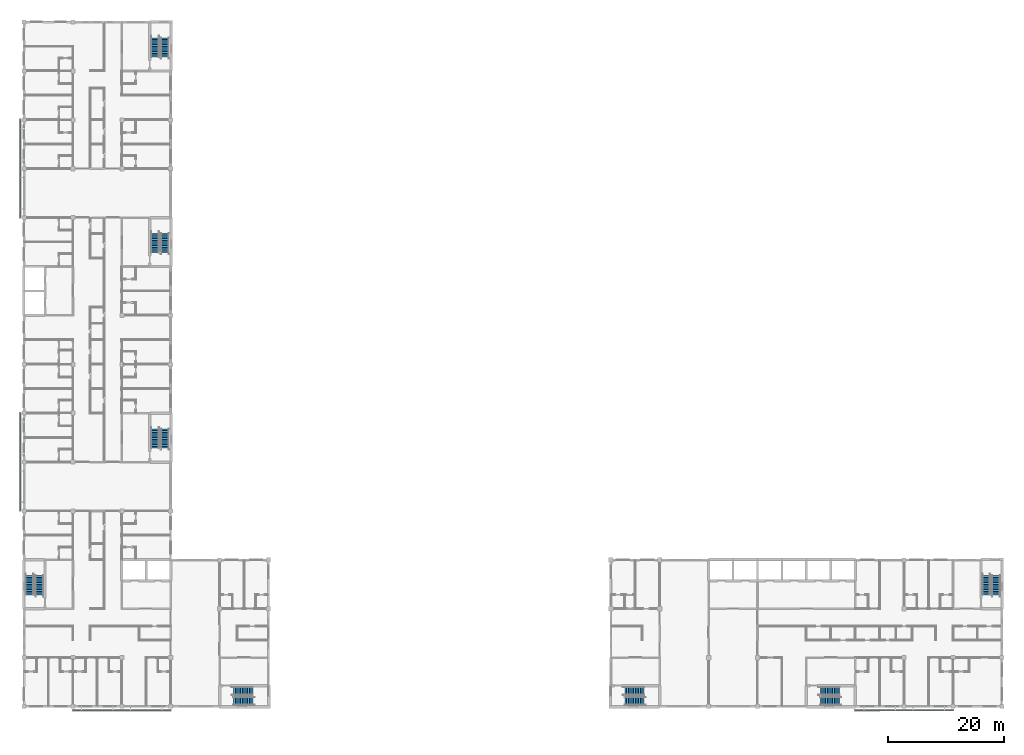
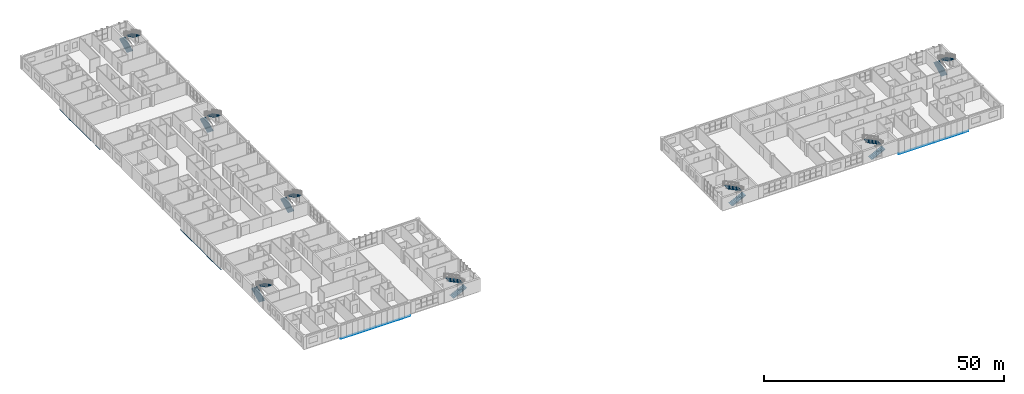
# One storey, part 38 of 45: 16 stair flights, 8 discrete accessories, 8 elements without a shape of their own.
"""IFC4 building model written with IfcOpenShell, lengths in metres."""

from ifc_helpers import new_model, si_unit, direction, frame, origin, origin_2d, place, context, subcontext, project, spatial, polyline, hollow_rectangle, outline, extrude, material, material_profile, profile_set, type_object, element, aggregate, save


model = new_model("IFC4")

# Units and contexts
model_context = context("Model", 3, precision=1e-05, world=origin(), true_north=direction((0.0, 1.0)))
body_context = subcontext(model_context, "Body", "Model", "MODEL_VIEW")
ifc_project = project(units=[si_unit("LENGTHUNIT", "METRE"), si_unit("AREAUNIT", "SQUARE_METRE"), si_unit("VOLUMEUNIT", "CUBIC_METRE"), si_unit("PLANEANGLEUNIT", "RADIAN"), si_unit("MASSUNIT", "GRAM", prefix="KILO")], contexts=[model_context])

# Site, building, storey
site_placement = place(None, origin())
site = spatial("IfcSite", under=ifc_project, at=site_placement, CompositionType="ELEMENT")
building_placement = place(site_placement, origin())
building = spatial("IfcBuilding", under=site, at=building_placement, Name="Yavir Park General Hospital", CompositionType="ELEMENT")
storey_placement = place(building_placement, frame((0.0, 0.0, 22.5)))
storey = spatial("IfcBuildingStorey", under=building, at=storey_placement, Name="L05", CompositionType="ELEMENT", Elevation=22.5)

# Stair, stair flights
ifc_material_1 = material(Name="Concrete C30/37", Category="concrete")
stair_type = type_object("IfcStairType", Name="Patient escape stair, 24 risers of 150 mm, 1400 mm flights", PredefinedType="HALF_TURN_STAIR", material=ifc_material_1)
stair_1_placement = place(storey_placement, origin())
stair_1 = element("IfcStair", 1, at=stair_1_placement, inside=storey, type_object=stair_type, Name="Stair SU1, L05 to L06", PredefinedType="HALF_TURN_STAIR")
ifc_material_2 = material(Name="Concrete C30/37", Category="concrete")
stair_flight_type = type_object("IfcStairFlightType", Name="Patient escape stair flight, 12 risers, 1400 mm wide", PredefinedType="STRAIGHT", material=ifc_material_2)
stair_flight_1_placement = place(storey_placement, frame((0.949951171875, 19.199951171875, 0.0), z_axis=(0.0, 0.0, 1.0), x_axis=(0.0, 1.0, 0.0)))
stair_flight_1 = element("IfcStairFlight", 2, at=stair_flight_1_placement, type_object=stair_flight_type, Name="SU1 flight 1", NumberOfRisers=12, NumberOfTreads=11, PredefinedType="STRAIGHT", RiserHeight=0.15, TreadLength=0.3, context=body_context, shape_type="SweptSolid", body=[
    extrude(outline(polyline([(0.0, 0.0), (0.0, 0.14990234375), (0.300048828125, 0.14990234375), (0.300048828125, 0.300048828125), (0.60009765625, 0.300048828125), (0.60009765625, 0.449951171875), (0.89990234375, 0.449951171875), (0.89990234375, 0.60009765625), (1.199951171875, 0.60009765625), (1.199951171875, 0.75), (1.5, 0.75), (1.5, 0.89990234375), (1.800048828125, 0.89990234375), (1.800048828125, 1.050048828125), (2.10009765625, 1.050048828125), (2.10009765625, 1.199951171875), (2.39990234375, 1.199951171875), (2.39990234375, 1.35009765625), (2.699951171875, 1.35009765625), (2.699951171875, 1.5), (3.0, 1.5), (3.0, 1.64990234375), (3.300048828125, 1.64990234375), (3.300048828125, 1.800048828125), (3.300048828125, 1.47119140625), (0.357666015625, 0.0), (0.0, 0.0)])), frame((0.0, 0.699951171875, 0.0), z_axis=(0.0, -1.0, 0.0), x_axis=(1.0, 0.0, 0.0)), (0.0, 0.0, 1.0), 1.39990234375),
])
stair_flight_2_placement = place(storey_placement, frame((2.64990234375, 22.5, 1.800048828125), z_axis=(0.0, 0.0, 1.0), x_axis=(0.0, -1.0, 0.0)))
stair_flight_2 = element("IfcStairFlight", 3, at=stair_flight_2_placement, type_object=stair_flight_type, Name="SU1 flight 2", NumberOfRisers=12, NumberOfTreads=11, PredefinedType="STRAIGHT", RiserHeight=0.15, TreadLength=0.3, context=body_context, shape_type="SweptSolid", body=[
    extrude(outline(polyline([(0.0, 0.0), (0.0, 0.14990234375), (0.300048828125, 0.14990234375), (0.300048828125, 0.300048828125), (0.60009765625, 0.300048828125), (0.60009765625, 0.449951171875), (0.89990234375, 0.449951171875), (0.89990234375, 0.60009765625), (1.199951171875, 0.60009765625), (1.199951171875, 0.75), (1.5, 0.75), (1.5, 0.89990234375), (1.800048828125, 0.89990234375), (1.800048828125, 1.050048828125), (2.10009765625, 1.050048828125), (2.10009765625, 1.199951171875), (2.39990234375, 1.199951171875), (2.39990234375, 1.35009765625), (2.699951171875, 1.35009765625), (2.699951171875, 1.5), (3.0, 1.5), (3.0, 1.64990234375), (3.300048828125, 1.64990234375), (3.300048828125, 1.800048828125), (3.300048828125, 1.47119140625), (0.357666015625, 0.0), (0.0, 0.0)])), frame((0.0, 0.699951171875, 0.0), z_axis=(0.0, -1.0, 0.0), x_axis=(1.0, 0.0, 0.0)), (0.0, 0.0, 1.0), 1.39990234375),
])
aggregate(stair_1, [stair_flight_1, stair_flight_2])

stair_2_placement = place(storey_placement, origin())
stair_2 = element("IfcStair", 4, at=stair_2_placement, inside=storey, type_object=stair_type, Name="Stair SU2, L05 to L06", PredefinedType="HALF_TURN_STAIR")
stair_flight_3_placement = place(storey_placement, frame((36.0, 0.949951171875, 0.0), z_axis=(0.0, 0.0, 1.0), x_axis=(1.0, 0.0, 0.0)))
stair_flight_3 = element("IfcStairFlight", 5, at=stair_flight_3_placement, type_object=stair_flight_type, Name="SU2 flight 1", NumberOfRisers=12, NumberOfTreads=11, PredefinedType="STRAIGHT", RiserHeight=0.15, TreadLength=0.3, context=body_context, shape_type="SweptSolid", body=[
    extrude(outline(polyline([(0.0, 0.0), (0.0, 0.14990234375), (0.300048828125, 0.14990234375), (0.300048828125, 0.300048828125), (0.60009765625, 0.300048828125), (0.60009765625, 0.449951171875), (0.89990234375, 0.449951171875), (0.89990234375, 0.60009765625), (1.199951171875, 0.60009765625), (1.199951171875, 0.75), (1.5, 0.75), (1.5, 0.89990234375), (1.800048828125, 0.89990234375), (1.800048828125, 1.050048828125), (2.10009765625, 1.050048828125), (2.10009765625, 1.199951171875), (2.39990234375, 1.199951171875), (2.39990234375, 1.35009765625), (2.699951171875, 1.35009765625), (2.699951171875, 1.5), (3.0, 1.5), (3.0, 1.64990234375), (3.300048828125, 1.64990234375), (3.300048828125, 1.800048828125), (3.300048828125, 1.47119140625), (0.357666015625, 0.0), (0.0, 0.0)])), frame((0.0, 0.699951171875, 0.0), z_axis=(0.0, -1.0, 0.0), x_axis=(1.0, 0.0, 0.0)), (0.0, 0.0, 1.0), 1.39990234375),
])
stair_flight_4_placement = place(storey_placement, frame((39.300048828125, 2.64990234375, 1.800048828125), z_axis=(0.0, 0.0, 1.0), x_axis=(-1.0, 0.0, 0.0)))
stair_flight_4 = element("IfcStairFlight", 6, at=stair_flight_4_placement, type_object=stair_flight_type, Name="SU2 flight 2", NumberOfRisers=12, NumberOfTreads=11, PredefinedType="STRAIGHT", RiserHeight=0.15, TreadLength=0.3, context=body_context, shape_type="SweptSolid", body=[
    extrude(outline(polyline([(0.0, 0.0), (0.0, 0.14990234375), (0.300048828125, 0.14990234375), (0.300048828125, 0.300048828125), (0.60009765625, 0.300048828125), (0.60009765625, 0.449951171875), (0.89990234375, 0.449951171875), (0.89990234375, 0.60009765625), (1.199951171875, 0.60009765625), (1.199951171875, 0.75), (1.5, 0.75), (1.5, 0.89990234375), (1.800048828125, 0.89990234375), (1.800048828125, 1.050048828125), (2.10009765625, 1.050048828125), (2.10009765625, 1.199951171875), (2.39990234375, 1.199951171875), (2.39990234375, 1.35009765625), (2.699951171875, 1.35009765625), (2.699951171875, 1.5), (3.0, 1.5), (3.0, 1.64990234375), (3.300048828125, 1.64990234375), (3.300048828125, 1.800048828125), (3.300048828125, 1.47119140625), (0.357666015625, 0.0), (0.0, 0.0)])), frame((0.0, 0.699951171875, 0.0), z_axis=(0.0, -1.0, 0.0), x_axis=(1.0, 0.0, 0.0)), (0.0, 0.0, 1.0), 1.39990234375),
])
aggregate(stair_2, [stair_flight_3, stair_flight_4])

stair_3_placement = place(storey_placement, origin())
stair_3 = element("IfcStair", 7, at=stair_3_placement, inside=storey, type_object=stair_type, Name="Stair SU4, L05 to L06", PredefinedType="HALF_TURN_STAIR")
stair_flight_5_placement = place(storey_placement, frame((103.199951171875, 0.949951171875, 0.0), z_axis=(0.0, 0.0, 1.0), x_axis=(1.0, 0.0, 0.0)))
stair_flight_5 = element("IfcStairFlight", 8, at=stair_flight_5_placement, type_object=stair_flight_type, Name="SU4 flight 1", NumberOfRisers=12, NumberOfTreads=11, PredefinedType="STRAIGHT", RiserHeight=0.15, TreadLength=0.3, context=body_context, shape_type="SweptSolid", body=[
    extrude(outline(polyline([(0.0, 0.0), (0.0, 0.14990234375), (0.300048828125, 0.14990234375), (0.300048828125, 0.300048828125), (0.60009765625, 0.300048828125), (0.60009765625, 0.449951171875), (0.89990234375, 0.449951171875), (0.89990234375, 0.60009765625), (1.199951171875, 0.60009765625), (1.199951171875, 0.75), (1.5, 0.75), (1.5, 0.89990234375), (1.800048828125, 0.89990234375), (1.800048828125, 1.050048828125), (2.10009765625, 1.050048828125), (2.10009765625, 1.199951171875), (2.39990234375, 1.199951171875), (2.39990234375, 1.35009765625), (2.699951171875, 1.35009765625), (2.699951171875, 1.5), (3.0, 1.5), (3.0, 1.64990234375), (3.300048828125, 1.64990234375), (3.300048828125, 1.800048828125), (3.300048828125, 1.47119140625), (0.357666015625, 0.0), (0.0, 0.0)])), frame((0.0, 0.699951171875, 0.0), z_axis=(0.0, -1.0, 0.0), x_axis=(1.0, 0.0, 0.0)), (0.0, 0.0, 1.0), 1.39990234375),
])
stair_flight_6_placement = place(storey_placement, frame((106.5, 2.64990234375, 1.800048828125), z_axis=(0.0, 0.0, 1.0), x_axis=(-1.0, 0.0, 0.0)))
stair_flight_6 = element("IfcStairFlight", 9, at=stair_flight_6_placement, type_object=stair_flight_type, Name="SU4 flight 2", NumberOfRisers=12, NumberOfTreads=11, PredefinedType="STRAIGHT", RiserHeight=0.15, TreadLength=0.3, context=body_context, shape_type="SweptSolid", body=[
    extrude(outline(polyline([(0.0, 0.0), (0.0, 0.14990234375), (0.300048828125, 0.14990234375), (0.300048828125, 0.300048828125), (0.60009765625, 0.300048828125), (0.60009765625, 0.449951171875), (0.89990234375, 0.449951171875), (0.89990234375, 0.60009765625), (1.199951171875, 0.60009765625), (1.199951171875, 0.75), (1.5, 0.75), (1.5, 0.89990234375), (1.800048828125, 0.89990234375), (1.800048828125, 1.050048828125), (2.10009765625, 1.050048828125), (2.10009765625, 1.199951171875), (2.39990234375, 1.199951171875), (2.39990234375, 1.35009765625), (2.699951171875, 1.35009765625), (2.699951171875, 1.5), (3.0, 1.5), (3.0, 1.64990234375), (3.300048828125, 1.64990234375), (3.300048828125, 1.800048828125), (3.300048828125, 1.47119140625), (0.357666015625, 0.0), (0.0, 0.0)])), frame((0.0, 0.699951171875, 0.0), z_axis=(0.0, -1.0, 0.0), x_axis=(1.0, 0.0, 0.0)), (0.0, 0.0, 1.0), 1.39990234375),
])
aggregate(stair_3, [stair_flight_5, stair_flight_6])

stair_4_placement = place(storey_placement, origin())
stair_4 = element("IfcStair", 10, at=stair_4_placement, inside=storey, type_object=stair_type, Name="Stair SU5, L05 to L06", PredefinedType="HALF_TURN_STAIR")
stair_flight_7_placement = place(storey_placement, frame((136.800048828125, 0.949951171875, 0.0), z_axis=(0.0, 0.0, 1.0), x_axis=(1.0, 0.0, 0.0)))
stair_flight_7 = element("IfcStairFlight", 11, at=stair_flight_7_placement, type_object=stair_flight_type, Name="SU5 flight 1", NumberOfRisers=12, NumberOfTreads=11, PredefinedType="STRAIGHT", RiserHeight=0.15, TreadLength=0.3, context=body_context, shape_type="SweptSolid", body=[
    extrude(outline(polyline([(0.0, 0.0), (0.0, 0.14990234375), (0.300048828125, 0.14990234375), (0.300048828125, 0.300048828125), (0.60009765625, 0.300048828125), (0.60009765625, 0.449951171875), (0.89990234375, 0.449951171875), (0.89990234375, 0.60009765625), (1.199951171875, 0.60009765625), (1.199951171875, 0.75), (1.5, 0.75), (1.5, 0.89990234375), (1.800048828125, 0.89990234375), (1.800048828125, 1.050048828125), (2.10009765625, 1.050048828125), (2.10009765625, 1.199951171875), (2.39990234375, 1.199951171875), (2.39990234375, 1.35009765625), (2.699951171875, 1.35009765625), (2.699951171875, 1.5), (3.0, 1.5), (3.0, 1.64990234375), (3.300048828125, 1.64990234375), (3.300048828125, 1.800048828125), (3.300048828125, 1.47119140625), (0.357666015625, 0.0), (0.0, 0.0)])), frame((0.0, 0.699951171875, 0.0), z_axis=(0.0, -1.0, 0.0), x_axis=(1.0, 0.0, 0.0)), (0.0, 0.0, 1.0), 1.39990234375),
])
stair_flight_8_placement = place(storey_placement, frame((140.10009765625, 2.64990234375, 1.800048828125), z_axis=(0.0, 0.0, 1.0), x_axis=(-1.0, 0.0, 0.0)))
stair_flight_8 = element("IfcStairFlight", 12, at=stair_flight_8_placement, type_object=stair_flight_type, Name="SU5 flight 2", NumberOfRisers=12, NumberOfTreads=11, PredefinedType="STRAIGHT", RiserHeight=0.15, TreadLength=0.3, context=body_context, shape_type="SweptSolid", body=[
    extrude(outline(polyline([(0.0, 0.0), (0.0, 0.14990234375), (0.300048828125, 0.14990234375), (0.300048828125, 0.300048828125), (0.60009765625, 0.300048828125), (0.60009765625, 0.449951171875), (0.89990234375, 0.449951171875), (0.89990234375, 0.60009765625), (1.199951171875, 0.60009765625), (1.199951171875, 0.75), (1.5, 0.75), (1.5, 0.89990234375), (1.800048828125, 0.89990234375), (1.800048828125, 1.050048828125), (2.10009765625, 1.050048828125), (2.10009765625, 1.199951171875), (2.39990234375, 1.199951171875), (2.39990234375, 1.35009765625), (2.699951171875, 1.35009765625), (2.699951171875, 1.5), (3.0, 1.5), (3.0, 1.64990234375), (3.300048828125, 1.64990234375), (3.300048828125, 1.800048828125), (3.300048828125, 1.47119140625), (0.357666015625, 0.0), (0.0, 0.0)])), frame((0.0, 0.699951171875, 0.0), z_axis=(0.0, -1.0, 0.0), x_axis=(1.0, 0.0, 0.0)), (0.0, 0.0, 1.0), 1.39990234375),
])
aggregate(stair_4, [stair_flight_7, stair_flight_8])

stair_5_placement = place(storey_placement, origin())
stair_5 = element("IfcStair", 13, at=stair_5_placement, inside=storey, type_object=stair_type, Name="Stair SU6, L05 to L06", PredefinedType="HALF_TURN_STAIR")
stair_flight_9_placement = place(storey_placement, frame((165.300048828125, 19.199951171875, 0.0), z_axis=(0.0, 0.0, 1.0), x_axis=(0.0, 1.0, 0.0)))
stair_flight_9 = element("IfcStairFlight", 14, at=stair_flight_9_placement, type_object=stair_flight_type, Name="SU6 flight 1", NumberOfRisers=12, NumberOfTreads=11, PredefinedType="STRAIGHT", RiserHeight=0.15, TreadLength=0.3, context=body_context, shape_type="SweptSolid", body=[
    extrude(outline(polyline([(0.0, 0.0), (0.0, 0.14990234375), (0.300048828125, 0.14990234375), (0.300048828125, 0.300048828125), (0.60009765625, 0.300048828125), (0.60009765625, 0.449951171875), (0.89990234375, 0.449951171875), (0.89990234375, 0.60009765625), (1.199951171875, 0.60009765625), (1.199951171875, 0.75), (1.5, 0.75), (1.5, 0.89990234375), (1.800048828125, 0.89990234375), (1.800048828125, 1.050048828125), (2.10009765625, 1.050048828125), (2.10009765625, 1.199951171875), (2.39990234375, 1.199951171875), (2.39990234375, 1.35009765625), (2.699951171875, 1.35009765625), (2.699951171875, 1.5), (3.0, 1.5), (3.0, 1.64990234375), (3.300048828125, 1.64990234375), (3.300048828125, 1.800048828125), (3.300048828125, 1.47119140625), (0.357666015625, 0.0), (0.0, 0.0)])), frame((0.0, 0.699951171875, 0.0), z_axis=(0.0, -1.0, 0.0), x_axis=(1.0, 0.0, 0.0)), (0.0, 0.0, 1.0), 1.39990234375),
])
stair_flight_10_placement = place(storey_placement, frame((167.0, 22.5, 1.800048828125), z_axis=(0.0, 0.0, 1.0), x_axis=(0.0, -1.0, 0.0)))
stair_flight_10 = element("IfcStairFlight", 15, at=stair_flight_10_placement, type_object=stair_flight_type, Name="SU6 flight 2", NumberOfRisers=12, NumberOfTreads=11, PredefinedType="STRAIGHT", RiserHeight=0.15, TreadLength=0.3, context=body_context, shape_type="SweptSolid", body=[
    extrude(outline(polyline([(0.0, 0.0), (0.0, 0.14990234375), (0.300048828125, 0.14990234375), (0.300048828125, 0.300048828125), (0.60009765625, 0.300048828125), (0.60009765625, 0.449951171875), (0.89990234375, 0.449951171875), (0.89990234375, 0.60009765625), (1.199951171875, 0.60009765625), (1.199951171875, 0.75), (1.5, 0.75), (1.5, 0.89990234375), (1.800048828125, 0.89990234375), (1.800048828125, 1.050048828125), (2.10009765625, 1.050048828125), (2.10009765625, 1.199951171875), (2.39990234375, 1.199951171875), (2.39990234375, 1.35009765625), (2.699951171875, 1.35009765625), (2.699951171875, 1.5), (3.0, 1.5), (3.0, 1.64990234375), (3.300048828125, 1.64990234375), (3.300048828125, 1.800048828125), (3.300048828125, 1.47119140625), (0.357666015625, 0.0), (0.0, 0.0)])), frame((0.0, 0.699951171875, 0.0), z_axis=(0.0, -1.0, 0.0), x_axis=(1.0, 0.0, 0.0)), (0.0, 0.0, 1.0), 1.39990234375),
])
aggregate(stair_5, [stair_flight_9, stair_flight_10])

stair_6_placement = place(storey_placement, origin())
stair_6 = element("IfcStair", 16, at=stair_6_placement, inside=storey, type_object=stair_type, Name="Stair SW1, L05 to L06", PredefinedType="HALF_TURN_STAIR")
stair_flight_11_placement = place(storey_placement, frame((22.5, 44.39990234375, 0.0), z_axis=(0.0, 0.0, 1.0), x_axis=(0.0, 1.0, 0.0)))
stair_flight_11 = element("IfcStairFlight", 17, at=stair_flight_11_placement, type_object=stair_flight_type, Name="SW1 flight 1", NumberOfRisers=12, NumberOfTreads=11, PredefinedType="STRAIGHT", RiserHeight=0.15, TreadLength=0.3, context=body_context, shape_type="SweptSolid", body=[
    extrude(outline(polyline([(0.0, 0.0), (0.0, 0.14990234375), (0.300048828125, 0.14990234375), (0.300048828125, 0.300048828125), (0.60009765625, 0.300048828125), (0.60009765625, 0.449951171875), (0.89990234375, 0.449951171875), (0.89990234375, 0.60009765625), (1.199951171875, 0.60009765625), (1.199951171875, 0.75), (1.5, 0.75), (1.5, 0.89990234375), (1.800048828125, 0.89990234375), (1.800048828125, 1.050048828125), (2.10009765625, 1.050048828125), (2.10009765625, 1.199951171875), (2.39990234375, 1.199951171875), (2.39990234375, 1.35009765625), (2.699951171875, 1.35009765625), (2.699951171875, 1.5), (3.0, 1.5), (3.0, 1.64990234375), (3.300048828125, 1.64990234375), (3.300048828125, 1.800048828125), (3.300048828125, 1.47119140625), (0.357666015625, 0.0), (0.0, 0.0)])), frame((0.0, 0.699951171875, 0.0), z_axis=(0.0, -1.0, 0.0), x_axis=(1.0, 0.0, 0.0)), (0.0, 0.0, 1.0), 1.39990234375),
])
stair_flight_12_placement = place(storey_placement, frame((24.199951171875, 47.699951171875, 1.800048828125), z_axis=(0.0, 0.0, 1.0), x_axis=(0.0, -1.0, 0.0)))
stair_flight_12 = element("IfcStairFlight", 18, at=stair_flight_12_placement, type_object=stair_flight_type, Name="SW1 flight 2", NumberOfRisers=12, NumberOfTreads=11, PredefinedType="STRAIGHT", RiserHeight=0.15, TreadLength=0.3, context=body_context, shape_type="SweptSolid", body=[
    extrude(outline(polyline([(0.0, 0.0), (0.0, 0.14990234375), (0.300048828125, 0.14990234375), (0.300048828125, 0.300048828125), (0.60009765625, 0.300048828125), (0.60009765625, 0.449951171875), (0.89990234375, 0.449951171875), (0.89990234375, 0.60009765625), (1.199951171875, 0.60009765625), (1.199951171875, 0.75), (1.5, 0.75), (1.5, 0.89990234375), (1.800048828125, 0.89990234375), (1.800048828125, 1.050048828125), (2.10009765625, 1.050048828125), (2.10009765625, 1.199951171875), (2.39990234375, 1.199951171875), (2.39990234375, 1.35009765625), (2.699951171875, 1.35009765625), (2.699951171875, 1.5), (3.0, 1.5), (3.0, 1.64990234375), (3.300048828125, 1.64990234375), (3.300048828125, 1.800048828125), (3.300048828125, 1.47119140625), (0.357666015625, 0.0), (0.0, 0.0)])), frame((0.0, 0.699951171875, 0.0), z_axis=(0.0, -1.0, 0.0), x_axis=(1.0, 0.0, 0.0)), (0.0, 0.0, 1.0), 1.39990234375),
])
aggregate(stair_6, [stair_flight_11, stair_flight_12])

stair_7_placement = place(storey_placement, origin())
stair_7 = element("IfcStair", 19, at=stair_7_placement, inside=storey, type_object=stair_type, Name="Stair SW2, L05 to L06", PredefinedType="HALF_TURN_STAIR")
stair_flight_13_placement = place(storey_placement, frame((22.5, 78.0, 0.0), z_axis=(0.0, 0.0, 1.0), x_axis=(0.0, 1.0, 0.0)))
stair_flight_13 = element("IfcStairFlight", 20, at=stair_flight_13_placement, type_object=stair_flight_type, Name="SW2 flight 1", NumberOfRisers=12, NumberOfTreads=11, PredefinedType="STRAIGHT", RiserHeight=0.15, TreadLength=0.3, context=body_context, shape_type="SweptSolid", body=[
    extrude(outline(polyline([(0.0, 0.0), (0.0, 0.14990234375), (0.300048828125, 0.14990234375), (0.300048828125, 0.300048828125), (0.60009765625, 0.300048828125), (0.60009765625, 0.449951171875), (0.89990234375, 0.449951171875), (0.89990234375, 0.60009765625), (1.199951171875, 0.60009765625), (1.199951171875, 0.75), (1.5, 0.75), (1.5, 0.89990234375), (1.800048828125, 0.89990234375), (1.800048828125, 1.050048828125), (2.10009765625, 1.050048828125), (2.10009765625, 1.199951171875), (2.39990234375, 1.199951171875), (2.39990234375, 1.35009765625), (2.699951171875, 1.35009765625), (2.699951171875, 1.5), (3.0, 1.5), (3.0, 1.64990234375), (3.300048828125, 1.64990234375), (3.300048828125, 1.800048828125), (3.300048828125, 1.47119140625), (0.357666015625, 0.0), (0.0, 0.0)])), frame((0.0, 0.699951171875, 0.0), z_axis=(0.0, -1.0, 0.0), x_axis=(1.0, 0.0, 0.0)), (0.0, 0.0, 1.0), 1.39990234375),
])
stair_flight_14_placement = place(storey_placement, frame((24.199951171875, 81.300048828125, 1.800048828125), z_axis=(0.0, 0.0, 1.0), x_axis=(0.0, -1.0, 0.0)))
stair_flight_14 = element("IfcStairFlight", 21, at=stair_flight_14_placement, type_object=stair_flight_type, Name="SW2 flight 2", NumberOfRisers=12, NumberOfTreads=11, PredefinedType="STRAIGHT", RiserHeight=0.15, TreadLength=0.3, context=body_context, shape_type="SweptSolid", body=[
    extrude(outline(polyline([(0.0, 0.0), (0.0, 0.14990234375), (0.300048828125, 0.14990234375), (0.300048828125, 0.300048828125), (0.60009765625, 0.300048828125), (0.60009765625, 0.449951171875), (0.89990234375, 0.449951171875), (0.89990234375, 0.60009765625), (1.199951171875, 0.60009765625), (1.199951171875, 0.75), (1.5, 0.75), (1.5, 0.89990234375), (1.800048828125, 0.89990234375), (1.800048828125, 1.050048828125), (2.10009765625, 1.050048828125), (2.10009765625, 1.199951171875), (2.39990234375, 1.199951171875), (2.39990234375, 1.35009765625), (2.699951171875, 1.35009765625), (2.699951171875, 1.5), (3.0, 1.5), (3.0, 1.64990234375), (3.300048828125, 1.64990234375), (3.300048828125, 1.800048828125), (3.300048828125, 1.47119140625), (0.357666015625, 0.0), (0.0, 0.0)])), frame((0.0, 0.699951171875, 0.0), z_axis=(0.0, -1.0, 0.0), x_axis=(1.0, 0.0, 0.0)), (0.0, 0.0, 1.0), 1.39990234375),
])
aggregate(stair_7, [stair_flight_13, stair_flight_14])

stair_8_placement = place(storey_placement, origin())
stair_8 = element("IfcStair", 22, at=stair_8_placement, inside=storey, type_object=stair_type, Name="Stair SW3, L05 to L06", PredefinedType="HALF_TURN_STAIR")
stair_flight_15_placement = place(storey_placement, frame((22.5, 111.60009765625, 0.0), z_axis=(0.0, 0.0, 1.0), x_axis=(0.0, 1.0, 0.0)))
stair_flight_15 = element("IfcStairFlight", 23, at=stair_flight_15_placement, type_object=stair_flight_type, Name="SW3 flight 1", NumberOfRisers=12, NumberOfTreads=11, PredefinedType="STRAIGHT", RiserHeight=0.15, TreadLength=0.3, context=body_context, shape_type="SweptSolid", body=[
    extrude(outline(polyline([(0.0, 0.0), (0.0, 0.14990234375), (0.300048828125, 0.14990234375), (0.300048828125, 0.300048828125), (0.60009765625, 0.300048828125), (0.60009765625, 0.449951171875), (0.89990234375, 0.449951171875), (0.89990234375, 0.60009765625), (1.199951171875, 0.60009765625), (1.199951171875, 0.75), (1.5, 0.75), (1.5, 0.89990234375), (1.800048828125, 0.89990234375), (1.800048828125, 1.050048828125), (2.10009765625, 1.050048828125), (2.10009765625, 1.199951171875), (2.39990234375, 1.199951171875), (2.39990234375, 1.35009765625), (2.699951171875, 1.35009765625), (2.699951171875, 1.5), (3.0, 1.5), (3.0, 1.64990234375), (3.300048828125, 1.64990234375), (3.300048828125, 1.800048828125), (3.300048828125, 1.47119140625), (0.357666015625, 0.0), (0.0, 0.0)])), frame((0.0, 0.699951171875, 0.0), z_axis=(0.0, -1.0, 0.0), x_axis=(1.0, 0.0, 0.0)), (0.0, 0.0, 1.0), 1.39990234375),
])
stair_flight_16_placement = place(storey_placement, frame((24.199951171875, 114.89990234375, 1.800048828125), z_axis=(0.0, 0.0, 1.0), x_axis=(0.0, -1.0, 0.0)))
stair_flight_16 = element("IfcStairFlight", 24, at=stair_flight_16_placement, type_object=stair_flight_type, Name="SW3 flight 2", NumberOfRisers=12, NumberOfTreads=11, PredefinedType="STRAIGHT", RiserHeight=0.15, TreadLength=0.3, context=body_context, shape_type="SweptSolid", body=[
    extrude(outline(polyline([(0.0, 0.0), (0.0, 0.14990234375), (0.300048828125, 0.14990234375), (0.300048828125, 0.300048828125), (0.60009765625, 0.300048828125), (0.60009765625, 0.449951171875), (0.89990234375, 0.449951171875), (0.89990234375, 0.60009765625), (1.199951171875, 0.60009765625), (1.199951171875, 0.75), (1.5, 0.75), (1.5, 0.89990234375), (1.800048828125, 0.89990234375), (1.800048828125, 1.050048828125), (2.10009765625, 1.050048828125), (2.10009765625, 1.199951171875), (2.39990234375, 1.199951171875), (2.39990234375, 1.35009765625), (2.699951171875, 1.35009765625), (2.699951171875, 1.5), (3.0, 1.5), (3.0, 1.64990234375), (3.300048828125, 1.64990234375), (3.300048828125, 1.800048828125), (3.300048828125, 1.47119140625), (0.357666015625, 0.0), (0.0, 0.0)])), frame((0.0, 0.699951171875, 0.0), z_axis=(0.0, -1.0, 0.0), x_axis=(1.0, 0.0, 0.0)), (0.0, 0.0, 1.0), 1.39990234375),
])
aggregate(stair_8, [stair_flight_15, stair_flight_16])

# Discrete accessories
ifc_material_3 = material(Name="Steel S355", Category="steel")
ifc_material_profile = material_profile(ifc_material_3, hollow_rectangle(XDim=0.10009765625, YDim=0.06005859375, WallThickness=0.00390625, InnerFilletRadius=0.00390625, OuterFilletRadius=0.008056640625, at=origin_2d()), Name="RHS60x100x4")
ifc_profile_set = profile_set([ifc_material_profile], Name="Steel S355")
discrete_accessory_type = type_object("IfcDiscreteAccessoryType", Name="Screen rail RHS 100 x 60", PredefinedType="BRACKET", material=ifc_profile_set)
discrete_accessory_1_placement = place(storey_placement, frame((8.409912109375, -0.64990234375, -0.030029296875), z_axis=(1.0, 0.0, 0.0), x_axis=(0.0, 1.0, 0.0)))
element("IfcDiscreteAccessory", 25, at=discrete_accessory_1_placement, inside=storey, type_object=discrete_accessory_type, Name="Screen rail S2.3", PredefinedType="BRACKET", context=body_context, shape_type="SweptSolid", body=[
    extrude(hollow_rectangle(XDim=0.10009765625, YDim=0.06005859375, WallThickness=0.00390625, InnerFilletRadius=0.00390625, OuterFilletRadius=0.008056640625, at=origin_2d()), origin(), (0.0, 0.0, 1.0), 8.380126953125),
])
for number, where, z_axis, x_axis, name in (
    (26, (16.81005859375, -0.64990234375, -0.030029296875), (1.0, 0.0, 0.0), (0.0, 1.0, 0.0), "Screen rail S3.3"),
    (27, (142.81005859375, -0.64990234375, -0.030029296875), (1.0, 0.0, 0.0), (0.0, 1.0, 0.0), "Screen rail S18.3"),
):
    element("IfcDiscreteAccessory", number, at=place(storey_placement, frame(where, z_axis=z_axis, x_axis=x_axis)), inside=storey, type_object=discrete_accessory_type, Name=name, PredefinedType="BRACKET", context=body_context, shape_type="SweptSolid", body=[
        extrude(hollow_rectangle(XDim=0.10009765625, YDim=0.06005859375, WallThickness=0.00390625, InnerFilletRadius=0.00390625, OuterFilletRadius=0.008056640625, at=origin_2d()), origin(), (0.0, 0.0, 1.0), 8.3798828125),
    ])
discrete_accessory_2_placement = place(storey_placement, frame((151.2099609375, -0.64990234375, -0.030029296875), z_axis=(1.0, 0.0, 0.0), x_axis=(0.0, 1.0, 0.0)))
element("IfcDiscreteAccessory", 28, at=discrete_accessory_2_placement, inside=storey, type_object=discrete_accessory_type, Name="Screen rail S19.3", PredefinedType="BRACKET", context=body_context, shape_type="SweptSolid", body=[
    extrude(hollow_rectangle(XDim=0.10009765625, YDim=0.06005859375, WallThickness=0.00390625, InnerFilletRadius=0.00390625, OuterFilletRadius=0.008056640625, at=origin_2d()), origin(), (0.0, 0.0, 1.0), 8.380126953125),
])
for number, where, z_axis, x_axis, name in (
    (29, (-0.64990234375, 33.610107421875, -0.030029296875), (0.0, 1.0, 0.0), (-1.0, 0.0, 0.0), "Screen rail W5.3"),
    (30, (-0.64990234375, 42.010009765625, -0.030029296875), (0.0, 1.0, 0.0), (-1.0, 0.0, 0.0), "Screen rail W6.3"),
    (31, (-0.64990234375, 84.010009765625, -0.030029296875), (0.0, 1.0, 0.0), (-1.0, 0.0, 0.0), "Screen rail W11.3"),
):
    element("IfcDiscreteAccessory", number, at=place(storey_placement, frame(where, z_axis=z_axis, x_axis=x_axis)), inside=storey, type_object=discrete_accessory_type, Name=name, PredefinedType="BRACKET", context=body_context, shape_type="SweptSolid", body=[
        extrude(hollow_rectangle(XDim=0.10009765625, YDim=0.06005859375, WallThickness=0.00390625, InnerFilletRadius=0.00390625, OuterFilletRadius=0.008056640625, at=origin_2d()), origin(), (0.0, 0.0, 1.0), 8.3798828125),
    ])
discrete_accessory_3_placement = place(storey_placement, frame((-0.64990234375, 92.409912109375, -0.030029296875), z_axis=(0.0, 1.0, 0.0), x_axis=(-1.0, 0.0, 0.0)))
element("IfcDiscreteAccessory", 32, at=discrete_accessory_3_placement, inside=storey, type_object=discrete_accessory_type, Name="Screen rail W12.3", PredefinedType="BRACKET", context=body_context, shape_type="SweptSolid", body=[
    extrude(hollow_rectangle(XDim=0.10009765625, YDim=0.06005859375, WallThickness=0.00390625, InnerFilletRadius=0.00390625, OuterFilletRadius=0.008056640625, at=origin_2d()), origin(), (0.0, 0.0, 1.0), 8.380126953125),
])

save(model, "model.ifc")
